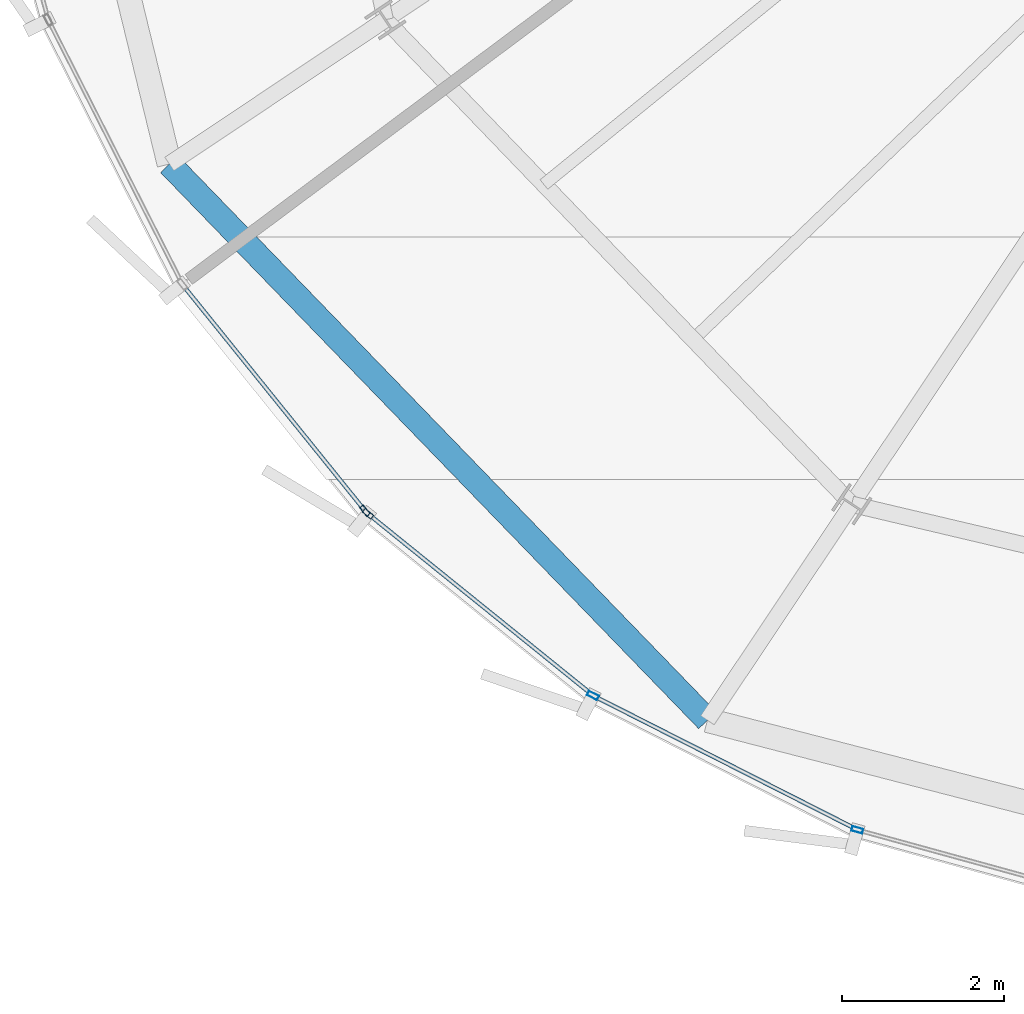
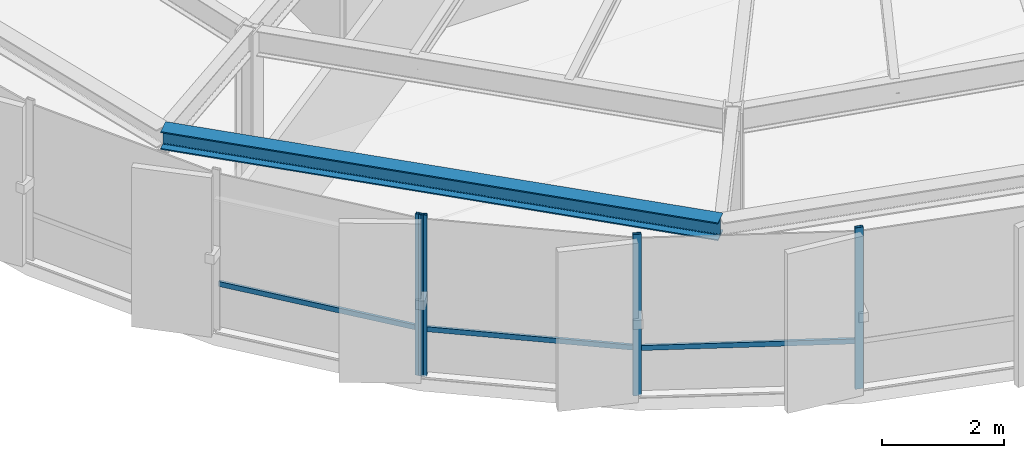
# One storey, part 2 of 34: 7 members, 1 beam, 2 elements without a shape of their own.
"""IFC4 building model written with IfcOpenShell, lengths in metres."""

import ifcopenshell
import ifcopenshell.guid

model = None  # the IFC model being written
_history = None  # IfcOwnerHistory: only IFC2X3 demands one
_inside = {}  # id of a spatial element -> (the spatial element, [elements in it])
_under = {}  # id of a project, library or spatial element -> (it, [spatial elements below it])
_declared = {}  # id of a project -> (the project, [libraries it declares])
_typed = {}  # id of a type object -> (the type object, [elements of that type])
_made_of = {}  # id of a material, layer set ... -> (it, [elements and type objects made of it])


def new_model(schema):
    """Start an empty IFC model of exactly this schema.

    Asked for "IFC4X3", IfcOpenShell would pick the latest addendum, in which some entities
    have other attributes; the version numbers below select the first issue.
    IFC2X3 requires an IfcOwnerHistory on every rooted entity: one is made here for all.
    """
    global model, _history
    if schema == "IFC4X3":
        model = ifcopenshell.file(schema_version=(4, 3, 0, 0))
    else:
        model = ifcopenshell.file(schema=schema)
    _inside.clear()
    _under.clear()
    _declared.clear()
    _typed.clear()
    _made_of.clear()
    _history = None
    if model.schema == "IFC2X3":
        org = make("IfcOrganization", Name="unknown")
        user = make(
            "IfcPersonAndOrganization",
            ThePerson=make("IfcPerson", FamilyName="unknown"),
            TheOrganization=org,
        )
        app = make(
            "IfcApplication",
            ApplicationDeveloper=org,
            Version="unknown",
            ApplicationFullName="unknown",
            ApplicationIdentifier="unknown",
        )
        _history = make(
            "IfcOwnerHistory",
            OwningUser=user,
            OwningApplication=app,
            ChangeAction="ADDED",
            CreationDate=0,
        )
    return model


def make(cls, **values):
    """One entity of the class cls with the attributes given. An attribute that is None is left unset."""
    return model.create_entity(
        cls, **{name: value for name, value in values.items() if value is not None}
    )


def rooted(cls, **values):
    """An entity with a GlobalId (a new one), such as an element, a storey or a relation."""
    return make(cls, GlobalId=ifcopenshell.guid.new(), OwnerHistory=_history, **values)


def si_unit(unit_type, name, prefix=None):
    """IfcSIUnit, for example si_unit("LENGTHUNIT", "METRE", prefix="MILLI")."""
    return make("IfcSIUnit", UnitType=unit_type, Prefix=prefix, Name=name)


def assignment(units):
    """IfcUnitAssignment: the units of a project."""
    return None if units is None else make("IfcUnitAssignment", Units=units)


def point(xyz):
    """IfcCartesianPoint."""
    return None if xyz is None else make("IfcCartesianPoint", Coordinates=xyz)


def direction(xyz):
    """IfcDirection."""
    return None if xyz is None else make("IfcDirection", DirectionRatios=xyz)


def frame(location, z_axis=None, x_axis=None):
    """IfcAxis2Placement3D, a coordinate frame: its origin and axes. An axis left out is left unset."""
    return make(
        "IfcAxis2Placement3D",
        Location=point(location),
        Axis=direction(z_axis),
        RefDirection=direction(x_axis),
    )


def frame_2d(location, x_axis=None):
    """IfcAxis2Placement2D, a coordinate frame in the plane: its origin and x axis."""
    return make(
        "IfcAxis2Placement2D", Location=point(location), RefDirection=direction(x_axis)
    )


def origin():
    """The frame at (0, 0, 0) with its axes left unset."""
    return frame((0.0, 0.0, 0.0))


def origin_2d():
    """The frame at (0, 0) in the plane with its x axis left unset."""
    return frame_2d((0.0, 0.0))


def place(relative_to, where):
    """IfcLocalPlacement: puts the frame where relative to a parent placement (None: the world)."""
    return make(
        "IfcLocalPlacement", PlacementRelTo=relative_to, RelativePlacement=where
    )


def context(
    kind, dimensions, precision=None, world=None, true_north=None, identifier=None
):
    """IfcGeometricRepresentationContext, for example the 3D "Model" context."""
    return make(
        "IfcGeometricRepresentationContext",
        ContextIdentifier=identifier,
        ContextType=kind,
        CoordinateSpaceDimension=dimensions,
        Precision=precision,
        WorldCoordinateSystem=world,
        TrueNorth=true_north,
    )


def subcontext(parent, identifier, kind, view, scale=None):
    """IfcGeometricRepresentationSubContext, for example "Body" below "Model"."""
    return make(
        "IfcGeometricRepresentationSubContext",
        ContextIdentifier=identifier,
        ContextType=kind,
        ParentContext=parent,
        TargetScale=scale,
        TargetView=view,
    )


def project(units=None, contexts=None):
    """IfcProject with its units and contexts."""
    return rooted(
        "IfcProject",
        Name="project",
        RepresentationContexts=contexts,
        UnitsInContext=assignment(units),
    )


def spatial(cls, under=None, at=None, **own):
    """A site, building, storey or space (cls), placed at a placement, below another one or the project."""
    s = rooted(cls, ObjectPlacement=at, **own)
    if under is not None:
        _under.setdefault(under.id(), (under, []))[1].append(s)
    return s


def profile(cls, at=None, kind="AREA", **sizes):
    """A parametric profile (cls). Its sizes go by their IFC names, for example OverallWidth=200.0."""
    return make(cls, ProfileType=kind, Position=at, **sizes)


def hollow_rectangle(**sizes):
    """IfcRectangleHollowProfileDef."""
    return profile("IfcRectangleHollowProfileDef", **sizes)


def i_section(**sizes):
    """IfcIShapeProfileDef."""
    return profile("IfcIShapeProfileDef", **sizes)


def extrude(swept, where, along, depth):
    """IfcExtrudedAreaSolid: the profile swept, set in the frame where, extruded along a direction by depth."""
    return make(
        "IfcExtrudedAreaSolid",
        SweptArea=swept,
        Position=where,
        ExtrudedDirection=direction(along),
        Depth=depth,
    )


def shape(context_of_items, identifier, shape_type, items):
    """IfcShapeRepresentation: the items that make up one representation, for example the "Body"."""
    return make(
        "IfcShapeRepresentation",
        ContextOfItems=context_of_items,
        RepresentationIdentifier=identifier,
        RepresentationType=shape_type,
        Items=items,
    )


def source(mapping_origin, context_of_items, identifier, shape_type, items):
    """IfcRepresentationMap: a shape defined once, which mapped items show again and again."""
    return make(
        "IfcRepresentationMap",
        MappingOrigin=mapping_origin,
        MappedRepresentation=shape(context_of_items, identifier, shape_type, items),
    )


def transform(
    local_origin,
    x_axis=None,
    y_axis=None,
    z_axis=None,
    scale=None,
    scale2=None,
    scale3=None,
    uniform=True,
):
    """IfcCartesianTransformationOperator3D, or its non-uniform kind. x_axis, y_axis, z_axis: its Axis1, 2, 3."""
    if uniform:
        return make(
            "IfcCartesianTransformationOperator3D",
            Axis1=direction(x_axis),
            Axis2=direction(y_axis),
            LocalOrigin=point(local_origin),
            Scale=scale,
            Axis3=direction(z_axis),
        )
    return make(
        "IfcCartesianTransformationOperator3DnonUniform",
        Axis1=direction(x_axis),
        Axis2=direction(y_axis),
        LocalOrigin=point(local_origin),
        Scale=scale,
        Axis3=direction(z_axis),
        Scale2=scale2,
        Scale3=scale3,
    )


def mapped(mapping_source, mapping_target):
    """IfcMappedItem: shows the shape of a source again, moved by a transform."""
    return make(
        "IfcMappedItem", MappingSource=mapping_source, MappingTarget=mapping_target
    )


def material(Name=None, Category=None):
    """IfcMaterial."""
    return make("IfcMaterial", Name=Name, Category=Category)


def layer(
    of_material, thickness, ventilated=None, Name=None, Category=None, Priority=None
):
    """IfcMaterialLayer: one layer of a wall or slab, of a material (None: an air gap)."""
    return make(
        "IfcMaterialLayer",
        Material=of_material,
        LayerThickness=thickness,
        IsVentilated=ventilated,
        Name=Name,
        Category=Category,
        Priority=Priority,
    )


def layer_set(layers, Name=None):
    """IfcMaterialLayerSet."""
    return make("IfcMaterialLayerSet", MaterialLayers=layers, LayerSetName=Name)


def material_profile(
    of_material, cross_section, Name=None, Category=None, Priority=None
):
    """IfcMaterialProfile: a cross section and its material."""
    return make(
        "IfcMaterialProfile",
        Name=Name,
        Material=of_material,
        Profile=cross_section,
        Priority=Priority,
        Category=Category,
    )


def profile_set(profiles, Name=None, composite=None):
    """IfcMaterialProfileSet."""
    return make(
        "IfcMaterialProfileSet",
        Name=Name,
        MaterialProfiles=profiles,
        CompositeProfile=composite,
    )


def made_of(thing, what):
    """Note that an element or type object is made of a material, layer set ...; save() writes the relation."""
    if what is not None:
        _made_of.setdefault(what.id(), (what, []))[1].append(thing)
    return thing


def type_object(cls, material=None, **own):
    """A type object (cls), such as IfcWallType, which elements share."""
    return made_of(rooted(cls, **own), material)


def element(
    cls,
    number,
    at=None,
    inside=None,
    cuts=None,
    type_object=None,
    material=None,
    context=None,
    identifier="Body",
    shape_type=None,
    held_by="IfcProductDefinitionShape",
    body=None,
    shapes=None,
    **own,
):
    """One element of the class cls, such as IfcWall. Its Tag is "e" and its number.

    at: its placement. inside: the storey or other place that contains it. cuts: it is an
    opening in that element (IfcRelVoidsElement). A single representation is given by context,
    identifier, shape_type and body (its items); several are given by shapes. held_by: the class
    of the entity that holds the representations. save() writes the other relations.
    """
    e = rooted(cls, Tag="e%d" % number, ObjectPlacement=at, **own)
    if body is not None:
        shapes = [shape(context, identifier, shape_type, body)]
    if shapes is not None:
        e.Representation = make(held_by, Representations=shapes)
    if inside is not None:
        _inside.setdefault(inside.id(), (inside, []))[1].append(e)
    if cuts is not None:
        rooted(
            "IfcRelVoidsElement", RelatingBuildingElement=cuts, RelatedOpeningElement=e
        )
    if type_object is not None:
        _typed.setdefault(type_object.id(), (type_object, []))[1].append(e)
    return made_of(e, material)


def aggregate(whole, parts):
    """IfcRelAggregates: a whole, such as a stair, and the parts it consists of."""
    return rooted("IfcRelAggregates", RelatingObject=whole, RelatedObjects=parts)


def save(model, path):
    """Write the relations noted so far, then the file.

    IfcRelAggregates (storeys below a building ...), IfcRelContainedInSpatialStructure (elements
    in a storey), IfcRelDefinesByType, IfcRelAssociatesMaterial and IfcRelDeclares: one each for
    every whole, place, type object, material and project.
    """
    for whole, parts in _under.values():
        aggregate(whole, parts)
    for where, things in _inside.values():
        rooted(
            "IfcRelContainedInSpatialStructure",
            RelatedElements=things,
            RelatingStructure=where,
        )
    for kind, things in _typed.values():
        rooted("IfcRelDefinesByType", RelatedObjects=things, RelatingType=kind)
    for what, things in _made_of.values():
        rooted("IfcRelAssociatesMaterial", RelatedObjects=things, RelatingMaterial=what)
    for by, libraries in _declared.values():
        rooted("IfcRelDeclares", RelatingContext=by, RelatedDefinitions=libraries)
    model.write(path)


model = new_model("IFC4")

# Units and contexts
model_context = context("Model", 3, precision=1e-05, world=origin(), true_north=direction((0.0, 1.0)))
body_context = subcontext(model_context, "Body", "Model", "MODEL_VIEW")
ifc_project = project(units=[si_unit("LENGTHUNIT", "METRE"), si_unit("AREAUNIT", "SQUARE_METRE"), si_unit("VOLUMEUNIT", "CUBIC_METRE"), si_unit("PLANEANGLEUNIT", "RADIAN"), si_unit("MASSUNIT", "GRAM", prefix="KILO"), si_unit("THERMODYNAMICTEMPERATUREUNIT", "KELVIN")], contexts=[model_context])

# Site, building, storey
site_placement = place(None, origin())
site = spatial("IfcSite", under=ifc_project, at=site_placement, CompositionType="ELEMENT")
building_placement = place(site_placement, origin())
building = spatial("IfcBuilding", under=site, at=building_placement, Name="Kethvar Cultural Tower", CompositionType="ELEMENT")
storey_placement = place(building_placement, frame((0.0, 0.0, 214.89990234375)))
storey = spatial("IfcBuildingStorey", under=building, at=storey_placement, Name="L56", CompositionType="ELEMENT", Elevation=214.89990234375)

# Beam
ifc_material_1 = material(Name="Steel S355J2", Category="steel")
ifc_material_profile_1 = material_profile(ifc_material_1, i_section(OverallWidth=0.300048828125, OverallDepth=0.360107421875, WebThickness=0.012451171875, FlangeThickness=0.0224609375, FilletRadius=0.027099609375, at=origin_2d()), Name="Steel S355J2 — HEB360")
ifc_profile_set_1 = profile_set([ifc_material_profile_1], Name="Steel S355J2 — HEB360")
beam_type = type_object("IfcBeamType", Name="BM-SP360", PredefinedType="SPANDREL", material=ifc_profile_set_1)
shared_shape_1 = source(origin(), body_context, "Body", "SweptSolid", [
    extrude(i_section(OverallWidth=0.300048828125, OverallDepth=0.360107421875, WebThickness=0.012451171875, FlangeThickness=0.0224609375, FilletRadius=0.027099609375, at=origin_2d()), origin(), (0.0, 0.0, 1.0), 9.531982421875),
])
beam_placement = place(storey_placement, frame((26.556884765625, 14.27392578125, 3.05810546875), z_axis=(0.695343772208, -0.71867728394, 0.0), x_axis=(0.71867728394, 0.695343772208, 0.0)))
element("IfcBeam", 1, at=beam_placement, inside=storey, type_object=beam_type, Name="L56 Perimeter Spandrel Beam SP-10", PredefinedType="SPANDREL", context=body_context, shape_type="MappedRepresentation", body=[
    mapped(shared_shape_1, transform((0.0, 0.0, 0.0), scale=1.0)),
])

# Curtain wall, member
ifc_material_2 = material(Name="Aluminium 6063-T6", Category="aluminium")
ifc_layer = layer(ifc_material_2, 0.179931640625, Name="Aluminium 6063-T6", Category="aluminium")
ifc_layer_set = layer_set([ifc_layer], Name="Aluminium 6063-T6 (180 mm)")
curtain_wall_type = type_object("IfcCurtainWallType", Name="CW-SYS-04-Z34", PredefinedType="NOTDEFINED", material=ifc_layer_set)
curtain_wall_1_placement = place(storey_placement, origin())
curtain_wall_1 = element("IfcCurtainWall", 2, at=curtain_wall_1_placement, inside=storey, type_object=curtain_wall_type, Name="L56 Curtain Wall Run 03", PredefinedType="NOTDEFINED")
ifc_material_profile_2 = material_profile(ifc_material_2, hollow_rectangle(XDim=0.06005859375, YDim=0.139892578125, WallThickness=0.0048828125, at=origin_2d()), Name="Aluminium 6063-T6 — RHS140x60x5")
ifc_profile_set_2 = profile_set([ifc_material_profile_2], Name="Aluminium 6063-T6 — RHS140x60x5")
member_type_1 = type_object("IfcMemberType", Name="CW-SYS-04-Z34-MUL", PredefinedType="MULLION", material=ifc_profile_set_2)
shared_shape_2 = source(origin(), body_context, "Body", "SweptSolid", [
    extrude(hollow_rectangle(XDim=0.06005859375, YDim=0.139892578125, WallThickness=0.0048828125, at=origin_2d()), origin(), (0.0, 0.0, 1.0), 3.239990234375),
])
member_1_placement = place(storey_placement, frame((28.96630859375, 10.00439453125, 0.0), z_axis=(0.0, 0.0, 1.0), x_axis=(0.778155460757, 0.62807171477, 0.0)))
member_1 = element("IfcMember", 3, at=member_1_placement, type_object=member_type_1, Name="CW-L56-R03 Mullion 7", PredefinedType="MULLION", context=body_context, shape_type="MappedRepresentation", body=[
    mapped(shared_shape_2, transform((0.0, 0.0, 0.0), scale=1.0)),
])

# Curtain wall, members
curtain_wall_2_placement = place(storey_placement, origin())
curtain_wall_2 = element("IfcCurtainWall", 4, at=curtain_wall_2_placement, inside=storey, type_object=curtain_wall_type, Name="L56 Curtain Wall Run 04", PredefinedType="NOTDEFINED")
member_2_placement = place(storey_placement, frame((29.00439453125, 9.96630859375, 0.0), z_axis=(0.0, 0.0, 1.0), x_axis=(0.62807171477, 0.778155460757, 0.0)))
member_2 = element("IfcMember", 5, at=member_2_placement, type_object=member_type_1, Name="CW-L56-R04 Mullion 1", PredefinedType="MULLION", context=body_context, shape_type="MappedRepresentation", body=[
    mapped(shared_shape_2, transform((0.0, 0.0, 0.0), scale=1.0)),
])
member_3_placement = place(storey_placement, frame((31.774169921875, 7.727783203125, 0.0), z_axis=(0.0, 0.0, 1.0), x_axis=(0.45241914444, 0.891805425945, 0.0)))
member_3 = element("IfcMember", 6, at=member_3_placement, type_object=member_type_1, Name="CW-L56-R04 Mullion 2", PredefinedType="MULLION", context=body_context, shape_type="MappedRepresentation", body=[
    mapped(shared_shape_2, transform((0.0, 0.0, 0.0), scale=1.0)),
])
member_4_placement = place(storey_placement, frame((35.031005859375, 6.072998046875, 0.0), z_axis=(0.0, 0.0, 1.0), x_axis=(0.265017623646, 0.964243568377, 0.0)))
member_4 = element("IfcMember", 7, at=member_4_placement, type_object=member_type_1, Name="CW-L56-R04 Mullion 3", PredefinedType="MULLION", context=body_context, shape_type="MappedRepresentation", body=[
    mapped(shared_shape_2, transform((0.0, 0.0, 0.0), scale=1.0)),
])
ifc_material_profile_3 = material_profile(ifc_material_2, hollow_rectangle(XDim=0.050048828125, YDim=0.10009765625, WallThickness=0.00390625, at=origin_2d()), Name="Aluminium 6063-T6 — RHS100x50x4")
ifc_profile_set_3 = profile_set([ifc_material_profile_3], Name="Aluminium 6063-T6 — RHS100x50x4")
member_type_2 = type_object("IfcMemberType", Name="CW-SYS-04-Z34-TRN", PredefinedType="USERDEFINED", material=ifc_profile_set_3)
shared_shape_3 = source(origin(), body_context, "Body", "SweptSolid", [
    extrude(hollow_rectangle(XDim=0.050048828125, YDim=0.10009765625, WallThickness=0.00390625, at=origin_2d()), origin(), (0.0, 0.0, 1.0), 3.58837890625),
])
member_5_placement = place(storey_placement, frame((31.812744140625, 7.708251953125, 0.9501953125), z_axis=(0.891799394875, -0.452431032646, 0.0), x_axis=(0.452431032646, 0.891799394875, 0.0)))
member_5 = element("IfcMember", 8, at=member_5_placement, type_object=member_type_2, Name="CW-L56-R04 Transom 2", ObjectType="TRANSOM", PredefinedType="USERDEFINED", context=body_context, shape_type="MappedRepresentation", body=[
    mapped(shared_shape_3, transform((0.0, 0.0, 0.0), scale=1.0)),
])

# Member
shared_shape_4 = source(origin(), body_context, "Body", "SweptSolid", [
    extrude(hollow_rectangle(XDim=0.050048828125, YDim=0.10009765625, WallThickness=0.00390625, at=origin_2d()), origin(), (0.0, 0.0, 1.0), 3.536865234375),
])
member_6_placement = place(storey_placement, frame((26.7421875, 12.760009765625, 0.9501953125), z_axis=(0.628081603325, -0.778147479315, 0.0), x_axis=(0.778147479315, 0.628081603325, 0.0)))
member_6 = element("IfcMember", 9, at=member_6_placement, type_object=member_type_2, Name="CW-L56-R03 Transom 6", ObjectType="TRANSOM", PredefinedType="USERDEFINED", context=body_context, shape_type="MappedRepresentation", body=[
    mapped(shared_shape_4, transform((0.0, 0.0, 0.0), scale=1.0)),
])

aggregate(curtain_wall_1, [member_1, member_6])

member_7_placement = place(storey_placement, frame((29.0078125, 9.963623046875, 0.9501953125), z_axis=(0.778147479315, -0.628081603325, 0.0), x_axis=(0.628081603325, 0.778147479315, 0.0)))
member_7 = element("IfcMember", 10, at=member_7_placement, type_object=member_type_2, Name="CW-L56-R04 Transom 1", ObjectType="TRANSOM", PredefinedType="USERDEFINED", context=body_context, shape_type="MappedRepresentation", body=[
    mapped(shared_shape_4, transform((0.0, 0.0, 0.0), scale=1.0)),
])

aggregate(curtain_wall_2, [member_2, member_3, member_4, member_7, member_5])

save(model, "model.ifc")
